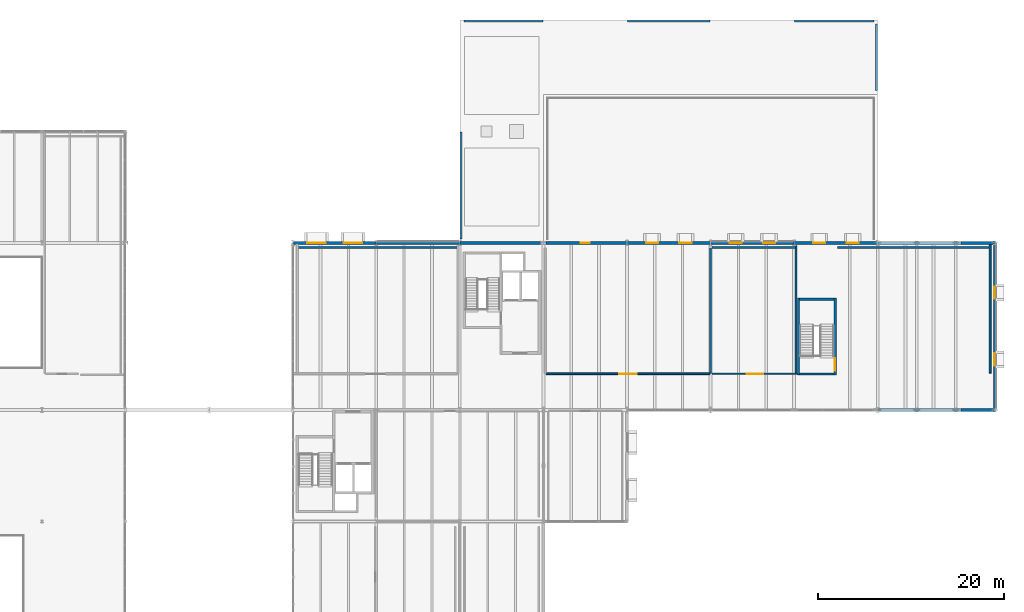
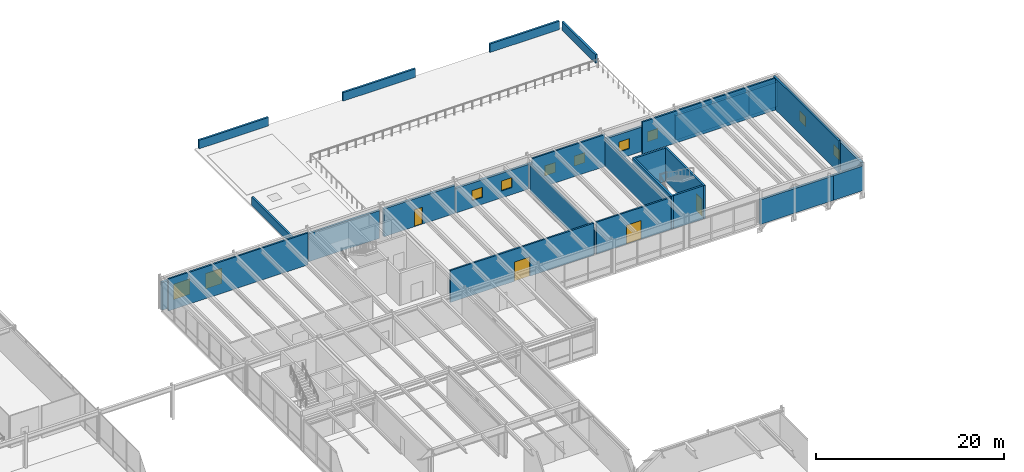
# One storey, part 109 of 115: 29 walls, 10 windows, 4 doors, 14 openings.
"""IFC4 building model written with IfcOpenShell, lengths in metres."""

import ifcopenshell
import ifcopenshell.guid

model = None  # the IFC model being written
_history = None  # IfcOwnerHistory: only IFC2X3 demands one
_inside = {}  # id of a spatial element -> (the spatial element, [elements in it])
_under = {}  # id of a project, library or spatial element -> (it, [spatial elements below it])
_declared = {}  # id of a project -> (the project, [libraries it declares])
_typed = {}  # id of a type object -> (the type object, [elements of that type])
_made_of = {}  # id of a material, layer set ... -> (it, [elements and type objects made of it])


def new_model(schema):
    """Start an empty IFC model of exactly this schema.

    Asked for "IFC4X3", IfcOpenShell would pick the latest addendum, in which some entities
    have other attributes; the version numbers below select the first issue.
    IFC2X3 requires an IfcOwnerHistory on every rooted entity: one is made here for all.
    """
    global model, _history
    if schema == "IFC4X3":
        model = ifcopenshell.file(schema_version=(4, 3, 0, 0))
    else:
        model = ifcopenshell.file(schema=schema)
    _inside.clear()
    _under.clear()
    _declared.clear()
    _typed.clear()
    _made_of.clear()
    _history = None
    if model.schema == "IFC2X3":
        org = make("IfcOrganization", Name="unknown")
        user = make(
            "IfcPersonAndOrganization",
            ThePerson=make("IfcPerson", FamilyName="unknown"),
            TheOrganization=org,
        )
        app = make(
            "IfcApplication",
            ApplicationDeveloper=org,
            Version="unknown",
            ApplicationFullName="unknown",
            ApplicationIdentifier="unknown",
        )
        _history = make(
            "IfcOwnerHistory",
            OwningUser=user,
            OwningApplication=app,
            ChangeAction="ADDED",
            CreationDate=0,
        )
    return model


def make(cls, **values):
    """One entity of the class cls with the attributes given. An attribute that is None is left unset."""
    return model.create_entity(
        cls, **{name: value for name, value in values.items() if value is not None}
    )


def rooted(cls, **values):
    """An entity with a GlobalId (a new one), such as an element, a storey or a relation."""
    return make(cls, GlobalId=ifcopenshell.guid.new(), OwnerHistory=_history, **values)


def si_unit(unit_type, name, prefix=None):
    """IfcSIUnit, for example si_unit("LENGTHUNIT", "METRE", prefix="MILLI")."""
    return make("IfcSIUnit", UnitType=unit_type, Prefix=prefix, Name=name)


def assignment(units):
    """IfcUnitAssignment: the units of a project."""
    return None if units is None else make("IfcUnitAssignment", Units=units)


def point(xyz):
    """IfcCartesianPoint."""
    return None if xyz is None else make("IfcCartesianPoint", Coordinates=xyz)


def direction(xyz):
    """IfcDirection."""
    return None if xyz is None else make("IfcDirection", DirectionRatios=xyz)


def frame(location, z_axis=None, x_axis=None):
    """IfcAxis2Placement3D, a coordinate frame: its origin and axes. An axis left out is left unset."""
    return make(
        "IfcAxis2Placement3D",
        Location=point(location),
        Axis=direction(z_axis),
        RefDirection=direction(x_axis),
    )


def frame_2d(location, x_axis=None):
    """IfcAxis2Placement2D, a coordinate frame in the plane: its origin and x axis."""
    return make(
        "IfcAxis2Placement2D", Location=point(location), RefDirection=direction(x_axis)
    )


def origin():
    """The frame at (0, 0, 0) with its axes left unset."""
    return frame((0.0, 0.0, 0.0))


def place(relative_to, where):
    """IfcLocalPlacement: puts the frame where relative to a parent placement (None: the world)."""
    return make(
        "IfcLocalPlacement", PlacementRelTo=relative_to, RelativePlacement=where
    )


def context(
    kind, dimensions, precision=None, world=None, true_north=None, identifier=None
):
    """IfcGeometricRepresentationContext, for example the 3D "Model" context."""
    return make(
        "IfcGeometricRepresentationContext",
        ContextIdentifier=identifier,
        ContextType=kind,
        CoordinateSpaceDimension=dimensions,
        Precision=precision,
        WorldCoordinateSystem=world,
        TrueNorth=true_north,
    )


def subcontext(parent, identifier, kind, view, scale=None):
    """IfcGeometricRepresentationSubContext, for example "Body" below "Model"."""
    return make(
        "IfcGeometricRepresentationSubContext",
        ContextIdentifier=identifier,
        ContextType=kind,
        ParentContext=parent,
        TargetScale=scale,
        TargetView=view,
    )


def project(units=None, contexts=None):
    """IfcProject with its units and contexts."""
    return rooted(
        "IfcProject",
        Name="project",
        RepresentationContexts=contexts,
        UnitsInContext=assignment(units),
    )


def spatial(cls, under=None, at=None, **own):
    """A site, building, storey or space (cls), placed at a placement, below another one or the project."""
    s = rooted(cls, ObjectPlacement=at, **own)
    if under is not None:
        _under.setdefault(under.id(), (under, []))[1].append(s)
    return s


def profile(cls, at=None, kind="AREA", **sizes):
    """A parametric profile (cls). Its sizes go by their IFC names, for example OverallWidth=200.0."""
    return make(cls, ProfileType=kind, Position=at, **sizes)


def rectangle(**sizes):
    """IfcRectangleProfileDef."""
    return profile("IfcRectangleProfileDef", **sizes)


def extrude(swept, where, along, depth):
    """IfcExtrudedAreaSolid: the profile swept, set in the frame where, extruded along a direction by depth."""
    return make(
        "IfcExtrudedAreaSolid",
        SweptArea=swept,
        Position=where,
        ExtrudedDirection=direction(along),
        Depth=depth,
    )


def shape(context_of_items, identifier, shape_type, items):
    """IfcShapeRepresentation: the items that make up one representation, for example the "Body"."""
    return make(
        "IfcShapeRepresentation",
        ContextOfItems=context_of_items,
        RepresentationIdentifier=identifier,
        RepresentationType=shape_type,
        Items=items,
    )


def material(Name=None, Category=None):
    """IfcMaterial."""
    return make("IfcMaterial", Name=Name, Category=Category)


def layer(
    of_material, thickness, ventilated=None, Name=None, Category=None, Priority=None
):
    """IfcMaterialLayer: one layer of a wall or slab, of a material (None: an air gap)."""
    return make(
        "IfcMaterialLayer",
        Material=of_material,
        LayerThickness=thickness,
        IsVentilated=ventilated,
        Name=Name,
        Category=Category,
        Priority=Priority,
    )


def layer_set(layers, Name=None):
    """IfcMaterialLayerSet."""
    return make("IfcMaterialLayerSet", MaterialLayers=layers, LayerSetName=Name)


def made_of(thing, what):
    """Note that an element or type object is made of a material, layer set ...; save() writes the relation."""
    if what is not None:
        _made_of.setdefault(what.id(), (what, []))[1].append(thing)
    return thing


def type_object(cls, material=None, **own):
    """A type object (cls), such as IfcWallType, which elements share."""
    return made_of(rooted(cls, **own), material)


def element(
    cls,
    number,
    at=None,
    inside=None,
    cuts=None,
    type_object=None,
    material=None,
    context=None,
    identifier="Body",
    shape_type=None,
    held_by="IfcProductDefinitionShape",
    body=None,
    shapes=None,
    **own,
):
    """One element of the class cls, such as IfcWall. Its Tag is "e" and its number.

    at: its placement. inside: the storey or other place that contains it. cuts: it is an
    opening in that element (IfcRelVoidsElement). A single representation is given by context,
    identifier, shape_type and body (its items); several are given by shapes. held_by: the class
    of the entity that holds the representations. save() writes the other relations.
    """
    e = rooted(cls, Tag="e%d" % number, ObjectPlacement=at, **own)
    if body is not None:
        shapes = [shape(context, identifier, shape_type, body)]
    if shapes is not None:
        e.Representation = make(held_by, Representations=shapes)
    if inside is not None:
        _inside.setdefault(inside.id(), (inside, []))[1].append(e)
    if cuts is not None:
        rooted(
            "IfcRelVoidsElement", RelatingBuildingElement=cuts, RelatedOpeningElement=e
        )
    if type_object is not None:
        _typed.setdefault(type_object.id(), (type_object, []))[1].append(e)
    return made_of(e, material)


def fill(opening, filler):
    """IfcRelFillsElement: the door or window that sits in an opening."""
    return rooted(
        "IfcRelFillsElement",
        RelatingOpeningElement=opening,
        RelatedBuildingElement=filler,
    )


def aggregate(whole, parts):
    """IfcRelAggregates: a whole, such as a stair, and the parts it consists of."""
    return rooted("IfcRelAggregates", RelatingObject=whole, RelatedObjects=parts)


def save(model, path):
    """Write the relations noted so far, then the file.

    IfcRelAggregates (storeys below a building ...), IfcRelContainedInSpatialStructure (elements
    in a storey), IfcRelDefinesByType, IfcRelAssociatesMaterial and IfcRelDeclares: one each for
    every whole, place, type object, material and project.
    """
    for whole, parts in _under.values():
        aggregate(whole, parts)
    for where, things in _inside.values():
        rooted(
            "IfcRelContainedInSpatialStructure",
            RelatedElements=things,
            RelatingStructure=where,
        )
    for kind, things in _typed.values():
        rooted("IfcRelDefinesByType", RelatedObjects=things, RelatingType=kind)
    for what, things in _made_of.values():
        rooted("IfcRelAssociatesMaterial", RelatedObjects=things, RelatingMaterial=what)
    for by, libraries in _declared.values():
        rooted("IfcRelDeclares", RelatingContext=by, RelatedDefinitions=libraries)
    model.write(path)


model = new_model("IFC4")

# Units and contexts
model_context = context("Model", 3, precision=1e-05, world=origin(), true_north=direction((0.0, 1.0)))
body_context = subcontext(model_context, "Body", "Model", "MODEL_VIEW")
ifc_project = project(units=[si_unit("LENGTHUNIT", "METRE"), si_unit("AREAUNIT", "SQUARE_METRE"), si_unit("VOLUMEUNIT", "CUBIC_METRE"), si_unit("PLANEANGLEUNIT", "RADIAN"), si_unit("MASSUNIT", "GRAM", prefix="KILO")], contexts=[model_context])

# Site, building, storey
site_placement = place(None, origin())
site = spatial("IfcSite", under=ifc_project, at=site_placement, CompositionType="ELEMENT")
building_placement = place(site_placement, origin())
building = spatial("IfcBuilding", under=site, at=building_placement, Name="Montelvaro Courts of Justice", CompositionType="ELEMENT")
storey_placement = place(building_placement, frame((0.0, 0.0, 9.89990234375)))
storey = spatial("IfcBuildingStorey", under=building, at=storey_placement, Name="L02", CompositionType="ELEMENT", Elevation=9.89990234375)

# Walls
ifc_material_1 = material(Name="Gypsum acoustic double stud with mineral wool")
ifc_layer_1 = layer(ifc_material_1, 0.199951171875)
ifc_layer_set_1 = layer_set([ifc_layer_1], Name="Gypsum acoustic double stud with mineral wool")
wall_type_1 = type_object("IfcWallType", Name="CourtAcousticWall_200", PredefinedType="PARTITIONING", material=ifc_layer_set_1)
wall_1_placement = place(storey_placement, frame((99.580078125, 95.5, 0.0), z_axis=(0.0, 0.0, 1.0), x_axis=(1.0, 0.0, 0.0)))
element("IfcWall", 1, at=wall_1_placement, inside=storey, type_object=wall_type_1, Name="Interior Partition IW-01 (L02)", PredefinedType="PARTITIONING", context=body_context, shape_type="SweptSolid", body=[
    extrude(rectangle(XDim=17.139892578125, YDim=0.199951171875, at=frame_2d((8.56982421875, 0.0))), origin(), (0.0, 0.0, 1.0), 4.14013671875),
])
wall_2_placement = place(storey_placement, frame((144.0, 95.419921875, 0.0), z_axis=(0.0, 0.0, 1.0), x_axis=(0.0, -1.0, 0.0)))
element("IfcWall", 2, at=wall_2_placement, inside=storey, type_object=wall_type_1, Name="Interior Partition IW-01 (L02)", PredefinedType="PARTITIONING", context=body_context, shape_type="SweptSolid", body=[
    extrude(rectangle(XDim=13.43994140625, YDim=0.199951171875, at=frame_2d((6.719970703125, 0.0))), origin(), (0.0, 0.0, 1.0), 3.39501953125),
])

# Wall, opening, door
wall_3_placement = place(storey_placement, frame((143.919921875, 81.89990234375, 0.0), z_axis=(0.0, 0.0, 1.0), x_axis=(-1.0, 0.0, 0.0)))
wall_3 = element("IfcWall", 3, at=wall_3_placement, inside=storey, type_object=wall_type_1, Name="Interior Partition IW-01 (L02)", PredefinedType="PARTITIONING", context=body_context, shape_type="SweptSolid", body=[
    extrude(rectangle(XDim=17.639892578125, YDim=0.199951171875, at=frame_2d((8.81982421875, 0.0))), origin(), (0.0, 0.0, 1.0), 4.14013671875),
])
opening_1_placement = place(wall_3_placement, frame((7.8701171875, 0.0, 0.0)))
opening_1 = element("IfcOpeningElement", 4, at=opening_1_placement, cuts=wall_3, Name="Opening D-L02-087", PredefinedType="OPENING", context=body_context, shape_type="SweptSolid", body=[
    extrude(rectangle(XDim=1.89990234375, YDim=2.5, at=frame_2d((0.949951171875, 1.25))), frame((0.0, 0.11474609375, 0.0), z_axis=(0.0, -1.0, 0.0), x_axis=(1.0, 0.0, 0.0)), (0.0, 0.0, 1.0), 0.229736328125),
])
ifc_material_2 = material(Name="Acoustic oak timber veneer", Category="wood")
door_type_1 = type_object("IfcDoorType", Name="CourtDoor_190x250", OperationType="DOUBLE_DOOR_SINGLE_SWING", PredefinedType="DOOR", material=ifc_material_2)
door_1_placement = place(opening_1_placement, frame((1.89990234375, 0.0, 0.0), z_axis=(0.0, 0.0, 1.0), x_axis=(-1.0, 0.0, 0.0)))
door_1 = element("IfcDoor", 5, at=door_1_placement, inside=storey, type_object=door_type_1, Name="Interior Door D-L02-087 (Civil First Instance Courtroom 08)", OperationType="DOUBLE_DOOR_SINGLE_SWING", OverallHeight=2.5, OverallWidth=1.89990234375, PredefinedType="DOOR", context=body_context, shape_type="SweptSolid", body=[
    extrude(rectangle(XDim=1.89990234375, YDim=2.5, at=frame_2d((0.949951171875, 1.25))), frame((0.0, 0.02490234375, 0.0), z_axis=(0.0, -1.0, 0.0), x_axis=(1.0, 0.0, 0.0)), (0.0, 0.0, 1.0), 0.050048828125),
])
fill(opening_1, door_1)

# Wall
wall_4_placement = place(storey_placement, frame((153.199951171875, 95.701904296875, 0.0), z_axis=(0.0, 0.0, 1.0), x_axis=(0.0, -1.0, 0.0)))
element("IfcWall", 6, at=wall_4_placement, inside=storey, type_object=wall_type_1, Name="Interior Partition IW-01 (L02)", PredefinedType="PARTITIONING", context=body_context, shape_type="SweptSolid", body=[
    extrude(rectangle(XDim=13.721923828125, YDim=0.199951171875, at=frame_2d((6.86083984375, 0.0))), origin(), (0.0, 0.0, 1.0), 3.545166015625),
])

# Wall, opening, door
wall_5_placement = place(storey_placement, frame((153.364990234375, 81.89990234375, 0.0), z_axis=(0.0, 0.0, 1.0), x_axis=(-1.0, 0.0, 0.0)))
wall_5 = element("IfcWall", 7, at=wall_5_placement, inside=storey, type_object=wall_type_1, Name="Interior Partition IW-01 (L02)", PredefinedType="PARTITIONING", context=body_context, shape_type="SweptSolid", body=[
    extrude(rectangle(XDim=9.18505859375, YDim=0.199951171875, at=frame_2d((4.592529296875, 0.0))), origin(), (0.0, 0.0, 1.0), 4.14013671875),
])
opening_2_placement = place(wall_5_placement, frame((3.693115234375, 0.0, 0.0)))
opening_2 = element("IfcOpeningElement", 8, at=opening_2_placement, cuts=wall_5, Name="Opening D-L02-088", PredefinedType="OPENING", context=body_context, shape_type="SweptSolid", body=[
    extrude(rectangle(XDim=1.800048828125, YDim=2.449951171875, at=frame_2d((0.89990234375, 1.22509765625))), frame((0.0, 0.11474609375, 0.0), z_axis=(0.0, -1.0, 0.0), x_axis=(1.0, 0.0, 0.0)), (0.0, 0.0, 1.0), 0.229736328125),
])
door_type_2 = type_object("IfcDoorType", Name="CourtDoor_180x245", OperationType="DOUBLE_DOOR_SINGLE_SWING", PredefinedType="DOOR", material=ifc_material_2)
door_2_placement = place(opening_2_placement, origin())
door_2 = element("IfcDoor", 9, at=door_2_placement, inside=storey, type_object=door_type_2, Name="Interior Door D-L02-088 (Commercial Courtroom 09)", OperationType="DOUBLE_DOOR_SINGLE_SWING", OverallHeight=2.449951171875, OverallWidth=1.800048828125, PredefinedType="DOOR", context=body_context, shape_type="SweptSolid", body=[
    extrude(rectangle(XDim=1.800048828125, YDim=2.449951171875, at=frame_2d((0.89990234375, 1.22509765625))), frame((0.0, 0.02490234375, 0.0), z_axis=(0.0, -1.0, 0.0), x_axis=(1.0, 0.0, 0.0)), (0.0, 0.0, 1.0), 0.050048828125),
])
fill(opening_2, door_2)

# Walls
wall_6_placement = place(storey_placement, frame((144.179931640625, 95.5, 0.0), z_axis=(0.0, 0.0, 1.0), x_axis=(1.0, 0.0, 0.0)))
element("IfcWall", 10, at=wall_6_placement, inside=storey, type_object=wall_type_1, Name="Interior Partition IW-01 (L02)", PredefinedType="PARTITIONING", context=body_context, shape_type="SweptSolid", body=[
    extrude(rectangle(XDim=8.940185546875, YDim=0.199951171875, at=frame_2d((4.47021484375, 0.0))), origin(), (0.0, 0.0, 1.0), 4.14013671875),
])
wall_7_placement = place(storey_placement, frame((174.10009765625, 95.85498046875, 0.0), z_axis=(0.0, 0.0, 1.0), x_axis=(0.0, -1.0, 0.0)))
element("IfcWall", 11, at=wall_7_placement, inside=storey, type_object=wall_type_1, Name="Interior Partition IW-01 (L02)", PredefinedType="PARTITIONING", context=body_context, shape_type="SweptSolid", body=[
    extrude(rectangle(XDim=13.875, YDim=0.199951171875, at=frame_2d((6.9375, 0.0))), origin(), (0.0, 0.0, 1.0), 4.14013671875),
])
wall_8_placement = place(storey_placement, frame((157.679931640625, 95.5, 0.0), z_axis=(0.0, 0.0, 1.0), x_axis=(1.0, 0.0, 0.0)))
element("IfcWall", 12, at=wall_8_placement, inside=storey, type_object=wall_type_1, Name="Interior Partition IW-01 (L02)", PredefinedType="PARTITIONING", context=body_context, shape_type="SweptSolid", body=[
    extrude(rectangle(XDim=16.340087890625, YDim=0.199951171875, at=frame_2d((8.169921875, 0.0))), origin(), (0.0, 0.0, 1.0), 4.14013671875),
])
ifc_material_3 = material(Name="White mineral precast concrete C45/55", Category="concrete")
ifc_layer_2 = layer(ifc_material_3, 0.300048828125)
ifc_layer_set_2 = layer_set([ifc_layer_2], Name="White mineral precast concrete C45/55")
wall_type_2 = type_object("IfcWallType", Name="ExtWall_GFRC_300", PredefinedType="SOLIDWALL", material=ifc_layer_set_2)
wall_9_placement = place(storey_placement, frame((162.008056640625, 78.0, 0.0), z_axis=(0.0, 0.0, 1.0), x_axis=(1.0, 0.0, 0.0)))
element("IfcWall", 13, at=wall_9_placement, inside=storey, type_object=wall_type_2, Name="Exterior Facade Wall EW-02 (L02)", PredefinedType="SOLIDWALL", context=body_context, shape_type="SweptSolid", body=[
    extrude(rectangle(XDim=9.001953125, YDim=0.300048828125, at=frame_2d((4.5009765625, 0.0))), origin(), (0.0, 0.0, 1.0), 3.18701171875),
])
wall_10_placement = place(storey_placement, frame((170.989990234375, 78.0, 0.0), z_axis=(0.0, 0.0, 1.0), x_axis=(1.0, 0.0, 0.0)))
element("IfcWall", 14, at=wall_10_placement, inside=storey, type_object=wall_type_2, Name="Exterior Facade Wall EW-02 (L02)", PredefinedType="SOLIDWALL", context=body_context, shape_type="SweptSolid", body=[
    extrude(rectangle(XDim=3.64990234375, YDim=0.300048828125, at=frame_2d((1.824951171875, 0.0))), origin(), (0.0, 0.0, 1.0), 3.18701171875),
])

# Wall, openings, windows
wall_11_placement = place(storey_placement, frame((174.60009765625, 78.0400390625, 0.0), z_axis=(0.0, 0.0, 1.0), x_axis=(0.0, 1.0, 0.0)))
wall_11 = element("IfcWall", 15, at=wall_11_placement, inside=storey, type_object=wall_type_2, Name="Exterior Facade Wall EW-02 (L02)", PredefinedType="SOLIDWALL", context=body_context, shape_type="SweptSolid", body=[
    extrude(rectangle(XDim=18.0, YDim=0.300048828125, at=frame_2d((9.0, 0.0))), origin(), (0.0, 0.0, 1.0), 3.545166015625),
])
opening_3_placement = place(wall_11_placement, frame((4.75, 0.0, 0.89990234375)))
opening_3 = element("IfcOpeningElement", 16, at=opening_3_placement, cuts=wall_11, Name="Opening WE-18", PredefinedType="OPENING", context=body_context, shape_type="SweptSolid", body=[
    extrude(rectangle(XDim=1.300048828125, YDim=1.300048828125, at=frame_2d((0.64990234375, 0.64990234375))), frame((0.0, 0.1650390625, 0.0), z_axis=(0.0, -1.0, 0.0), x_axis=(1.0, 0.0, 0.0)), (0.0, 0.0, 1.0), 0.329833984375),
])
opening_4_placement = place(wall_11_placement, frame((11.949951171875, 0.0, 0.89990234375)))
opening_4 = element("IfcOpeningElement", 17, at=opening_4_placement, cuts=wall_11, Name="Opening WE-18", PredefinedType="OPENING", context=body_context, shape_type="SweptSolid", body=[
    extrude(rectangle(XDim=1.300048828125, YDim=1.300048828125, at=frame_2d((0.64990234375, 0.64990234375))), frame((0.0, 0.1650390625, 0.0), z_axis=(0.0, -1.0, 0.0), x_axis=(1.0, 0.0, 0.0)), (0.0, 0.0, 1.0), 0.329833984375),
])
ifc_material_4 = material(Name="Low-E solar control double glazing", Category="glass")
window_type_1 = type_object("IfcWindowType", Name="Win_Sq_130x130", PartitioningType="SINGLE_PANEL", PredefinedType="WINDOW", material=ifc_material_4)
window_1_placement = place(opening_3_placement, origin())
window_1 = element("IfcWindow", 18, at=window_1_placement, inside=storey, type_object=window_type_1, Name="Window W-L02-097", OverallHeight=1.300048828125, OverallWidth=1.300048828125, PartitioningType="SINGLE_PANEL", PredefinedType="WINDOW", context=body_context, shape_type="SweptSolid", body=[
    extrude(rectangle(XDim=1.300048828125, YDim=1.300048828125, at=frame_2d((0.64990234375, 0.64990234375))), frame((0.0, 0.030029296875, 0.0), z_axis=(0.0, -1.0, 0.0), x_axis=(1.0, 0.0, 0.0)), (0.0, 0.0, 1.0), 0.06005859375),
])
fill(opening_3, window_1)
window_2_placement = place(opening_4_placement, origin())
window_2 = element("IfcWindow", 19, at=window_2_placement, inside=storey, type_object=window_type_1, Name="Window W-L02-098", OverallHeight=1.300048828125, OverallWidth=1.300048828125, PartitioningType="SINGLE_PANEL", PredefinedType="WINDOW", context=body_context, shape_type="SweptSolid", body=[
    extrude(rectangle(XDim=1.300048828125, YDim=1.300048828125, at=frame_2d((0.64990234375, 0.64990234375))), frame((0.0, 0.030029296875, 0.0), z_axis=(0.0, -1.0, 0.0), x_axis=(1.0, 0.0, 0.0)), (0.0, 0.0, 1.0), 0.06005859375),
])
fill(opening_4, window_2)

# Walls
wall_12_placement = place(storey_placement, frame((174.56005859375, 96.0, 0.0), z_axis=(0.0, 0.0, 1.0), x_axis=(-1.0, 0.0, 0.0)))
element("IfcWall", 20, at=wall_12_placement, inside=storey, type_object=wall_type_2, Name="Exterior Facade Wall EW-02 (L02)", PredefinedType="SOLIDWALL", context=body_context, shape_type="SweptSolid", body=[
    extrude(rectangle(XDim=3.570068359375, YDim=0.300048828125, at=frame_2d((1.78515625, 0.0))), origin(), (0.0, 0.0, 1.0), 3.18701171875),
])
wall_13_placement = place(storey_placement, frame((171.010009765625, 96.0, 0.0), z_axis=(0.0, 0.0, 1.0), x_axis=(-1.0, 0.0, 0.0)))
element("IfcWall", 21, at=wall_13_placement, inside=storey, type_object=wall_type_2, Name="Exterior Facade Wall EW-02 (L02)", PredefinedType="SOLIDWALL", context=body_context, shape_type="SweptSolid", body=[
    extrude(rectangle(XDim=9.001953125, YDim=0.300048828125, at=frame_2d((4.5009765625, 0.0))), origin(), (0.0, 0.0, 1.0), 3.18701171875),
])

# Wall, openings, windows
wall_14_placement = place(storey_placement, frame((161.991943359375, 96.0, 0.0), z_axis=(0.0, 0.0, 1.0), x_axis=(-1.0, 0.0, 0.0)))
wall_14 = element("IfcWall", 22, at=wall_14_placement, inside=storey, type_object=wall_type_2, Name="Exterior Facade Wall EW-02 (L02)", PredefinedType="SOLIDWALL", context=body_context, shape_type="SweptSolid", body=[
    extrude(rectangle(XDim=8.98388671875, YDim=0.300048828125, at=frame_2d((4.491943359375, 0.0))), origin(), (0.0, 0.0, 1.0), 3.18701171875),
])
opening_5_placement = place(wall_14_placement, frame((2.044921875, 0.0, 0.89990234375)))
opening_5 = element("IfcOpeningElement", 23, at=opening_5_placement, cuts=wall_14, Name="Opening WE-18", PredefinedType="OPENING", context=body_context, shape_type="SweptSolid", body=[
    extrude(rectangle(XDim=1.300048828125, YDim=1.300048828125, at=frame_2d((0.64990234375, 0.64990234375))), frame((0.0, 0.1650390625, 0.0), z_axis=(0.0, -1.0, 0.0), x_axis=(1.0, 0.0, 0.0)), (0.0, 0.0, 1.0), 0.329833984375),
])
opening_6_placement = place(wall_14_placement, frame((5.638916015625, 0.0, 0.89990234375)))
opening_6 = element("IfcOpeningElement", 24, at=opening_6_placement, cuts=wall_14, Name="Opening WE-18", PredefinedType="OPENING", context=body_context, shape_type="SweptSolid", body=[
    extrude(rectangle(XDim=1.300048828125, YDim=1.300048828125, at=frame_2d((0.64990234375, 0.64990234375))), frame((0.0, 0.1650390625, 0.0), z_axis=(0.0, -1.0, 0.0), x_axis=(1.0, 0.0, 0.0)), (0.0, 0.0, 1.0), 0.329833984375),
])
window_3_placement = place(opening_5_placement, origin())
window_3 = element("IfcWindow", 25, at=window_3_placement, inside=storey, type_object=window_type_1, Name="Window W-L02-099", OverallHeight=1.300048828125, OverallWidth=1.300048828125, PartitioningType="SINGLE_PANEL", PredefinedType="WINDOW", context=body_context, shape_type="SweptSolid", body=[
    extrude(rectangle(XDim=1.300048828125, YDim=1.300048828125, at=frame_2d((0.64990234375, 0.64990234375))), frame((0.0, 0.030029296875, 0.0), z_axis=(0.0, -1.0, 0.0), x_axis=(1.0, 0.0, 0.0)), (0.0, 0.0, 1.0), 0.06005859375),
])
fill(opening_5, window_3)
window_4_placement = place(opening_6_placement, origin())
window_4 = element("IfcWindow", 26, at=window_4_placement, inside=storey, type_object=window_type_1, Name="Window W-L02-100", OverallHeight=1.300048828125, OverallWidth=1.300048828125, PartitioningType="SINGLE_PANEL", PredefinedType="WINDOW", context=body_context, shape_type="SweptSolid", body=[
    extrude(rectangle(XDim=1.300048828125, YDim=1.300048828125, at=frame_2d((0.64990234375, 0.64990234375))), frame((0.0, 0.030029296875, 0.0), z_axis=(0.0, -1.0, 0.0), x_axis=(1.0, 0.0, 0.0)), (0.0, 0.0, 1.0), 0.06005859375),
])
fill(opening_6, window_4)

wall_15_placement = place(storey_placement, frame((152.991943359375, 96.0, 0.0), z_axis=(0.0, 0.0, 1.0), x_axis=(-1.0, 0.0, 0.0)))
wall_15 = element("IfcWall", 27, at=wall_15_placement, inside=storey, type_object=wall_type_2, Name="Exterior Facade Wall EW-02 (L02)", PredefinedType="SOLIDWALL", context=body_context, shape_type="SweptSolid", body=[
    extrude(rectangle(XDim=8.98388671875, YDim=0.300048828125, at=frame_2d((4.491943359375, 0.0))), origin(), (0.0, 0.0, 1.0), 3.18701171875),
])
opening_7_placement = place(wall_15_placement, frame((2.044921875, 0.0, 0.89990234375)))
opening_7 = element("IfcOpeningElement", 28, at=opening_7_placement, cuts=wall_15, Name="Opening WE-18", PredefinedType="OPENING", context=body_context, shape_type="SweptSolid", body=[
    extrude(rectangle(XDim=1.300048828125, YDim=1.300048828125, at=frame_2d((0.64990234375, 0.64990234375))), frame((0.0, 0.1650390625, 0.0), z_axis=(0.0, -1.0, 0.0), x_axis=(1.0, 0.0, 0.0)), (0.0, 0.0, 1.0), 0.329833984375),
])
opening_8_placement = place(wall_15_placement, frame((5.638916015625, 0.0, 0.89990234375)))
opening_8 = element("IfcOpeningElement", 29, at=opening_8_placement, cuts=wall_15, Name="Opening WE-18", PredefinedType="OPENING", context=body_context, shape_type="SweptSolid", body=[
    extrude(rectangle(XDim=1.300048828125, YDim=1.300048828125, at=frame_2d((0.64990234375, 0.64990234375))), frame((0.0, 0.1650390625, 0.0), z_axis=(0.0, -1.0, 0.0), x_axis=(1.0, 0.0, 0.0)), (0.0, 0.0, 1.0), 0.329833984375),
])
window_5_placement = place(opening_7_placement, origin())
window_5 = element("IfcWindow", 30, at=window_5_placement, inside=storey, type_object=window_type_1, Name="Window W-L02-101", OverallHeight=1.300048828125, OverallWidth=1.300048828125, PartitioningType="SINGLE_PANEL", PredefinedType="WINDOW", context=body_context, shape_type="SweptSolid", body=[
    extrude(rectangle(XDim=1.300048828125, YDim=1.300048828125, at=frame_2d((0.64990234375, 0.64990234375))), frame((0.0, 0.030029296875, 0.0), z_axis=(0.0, -1.0, 0.0), x_axis=(1.0, 0.0, 0.0)), (0.0, 0.0, 1.0), 0.06005859375),
])
fill(opening_7, window_5)
window_6_placement = place(opening_8_placement, origin())
window_6 = element("IfcWindow", 31, at=window_6_placement, inside=storey, type_object=window_type_1, Name="Window W-L02-102", OverallHeight=1.300048828125, OverallWidth=1.300048828125, PartitioningType="SINGLE_PANEL", PredefinedType="WINDOW", context=body_context, shape_type="SweptSolid", body=[
    extrude(rectangle(XDim=1.300048828125, YDim=1.300048828125, at=frame_2d((0.64990234375, 0.64990234375))), frame((0.0, 0.030029296875, 0.0), z_axis=(0.0, -1.0, 0.0), x_axis=(1.0, 0.0, 0.0)), (0.0, 0.0, 1.0), 0.06005859375),
])
fill(opening_8, window_6)

wall_16_placement = place(storey_placement, frame((143.991943359375, 96.0, 0.0), z_axis=(0.0, 0.0, 1.0), x_axis=(-1.0, 0.0, 0.0)))
wall_16 = element("IfcWall", 32, at=wall_16_placement, inside=storey, type_object=wall_type_2, Name="Exterior Facade Wall EW-02 (L02)", PredefinedType="SOLIDWALL", context=body_context, shape_type="SweptSolid", body=[
    extrude(rectangle(XDim=8.98388671875, YDim=0.300048828125, at=frame_2d((4.491943359375, 0.0))), origin(), (0.0, 0.0, 1.0), 3.18701171875),
])
opening_9_placement = place(wall_16_placement, frame((2.044921875, 0.0, 0.89990234375)))
opening_9 = element("IfcOpeningElement", 33, at=opening_9_placement, cuts=wall_16, Name="Opening WE-18", PredefinedType="OPENING", context=body_context, shape_type="SweptSolid", body=[
    extrude(rectangle(XDim=1.300048828125, YDim=1.300048828125, at=frame_2d((0.64990234375, 0.64990234375))), frame((0.0, 0.1650390625, 0.0), z_axis=(0.0, -1.0, 0.0), x_axis=(1.0, 0.0, 0.0)), (0.0, 0.0, 1.0), 0.329833984375),
])
opening_10_placement = place(wall_16_placement, frame((5.638916015625, 0.0, 0.89990234375)))
opening_10 = element("IfcOpeningElement", 34, at=opening_10_placement, cuts=wall_16, Name="Opening WE-18", PredefinedType="OPENING", context=body_context, shape_type="SweptSolid", body=[
    extrude(rectangle(XDim=1.300048828125, YDim=1.300048828125, at=frame_2d((0.64990234375, 0.64990234375))), frame((0.0, 0.1650390625, 0.0), z_axis=(0.0, -1.0, 0.0), x_axis=(1.0, 0.0, 0.0)), (0.0, 0.0, 1.0), 0.329833984375),
])
window_7_placement = place(opening_9_placement, origin())
window_7 = element("IfcWindow", 35, at=window_7_placement, inside=storey, type_object=window_type_1, Name="Window W-L02-103", OverallHeight=1.300048828125, OverallWidth=1.300048828125, PartitioningType="SINGLE_PANEL", PredefinedType="WINDOW", context=body_context, shape_type="SweptSolid", body=[
    extrude(rectangle(XDim=1.300048828125, YDim=1.300048828125, at=frame_2d((0.64990234375, 0.64990234375))), frame((0.0, 0.030029296875, 0.0), z_axis=(0.0, -1.0, 0.0), x_axis=(1.0, 0.0, 0.0)), (0.0, 0.0, 1.0), 0.06005859375),
])
fill(opening_9, window_7)
window_8_placement = place(opening_10_placement, origin())
window_8 = element("IfcWindow", 36, at=window_8_placement, inside=storey, type_object=window_type_1, Name="Window W-L02-104", OverallHeight=1.300048828125, OverallWidth=1.300048828125, PartitioningType="SINGLE_PANEL", PredefinedType="WINDOW", context=body_context, shape_type="SweptSolid", body=[
    extrude(rectangle(XDim=1.300048828125, YDim=1.300048828125, at=frame_2d((0.64990234375, 0.64990234375))), frame((0.0, 0.030029296875, 0.0), z_axis=(0.0, -1.0, 0.0), x_axis=(1.0, 0.0, 0.0)), (0.0, 0.0, 1.0), 0.06005859375),
])
fill(opening_10, window_8)

# Wall, opening, door
wall_17_placement = place(storey_placement, frame((134.991943359375, 96.0, 0.0), z_axis=(0.0, 0.0, 1.0), x_axis=(-1.0, 0.0, 0.0)))
wall_17 = element("IfcWall", 37, at=wall_17_placement, inside=storey, type_object=wall_type_2, Name="Exterior Facade Wall EW-02 (L02)", PredefinedType="SOLIDWALL", context=body_context, shape_type="SweptSolid", body=[
    extrude(rectangle(XDim=8.718994140625, YDim=0.300048828125, at=frame_2d((4.359375, 0.0))), origin(), (0.0, 0.0, 1.0), 3.60498046875),
])
opening_11_placement = place(wall_17_placement, frame((3.991943359375, 0.0, 0.0)))
opening_11 = element("IfcOpeningElement", 38, at=opening_11_placement, cuts=wall_17, Name="Opening DT-L02-01", PredefinedType="OPENING", context=body_context, shape_type="SweptSolid", body=[
    extrude(rectangle(XDim=1.0, YDim=2.199951171875, at=frame_2d((0.5, 1.10009765625))), frame((0.0, 0.1650390625, 0.0), z_axis=(0.0, -1.0, 0.0), x_axis=(1.0, 0.0, 0.0)), (0.0, 0.0, 1.0), 0.329833984375),
])
ifc_material_5 = material(Name="Anodised aluminium and laminated safety glass", Category="aluminium")
door_type_3 = type_object("IfcDoorType", Name="ExtDoor_Ter_100x220", OperationType="NOTDEFINED", PredefinedType="DOOR", material=ifc_material_5)
door_3_placement = place(opening_11_placement, frame((1.0, 0.0, 0.0), z_axis=(0.0, 0.0, 1.0), x_axis=(-1.0, 0.0, 0.0)))
door_3 = element("IfcDoor", 39, at=door_3_placement, inside=storey, type_object=door_type_3, Name="Terrace Access Door DT-L02-01", OperationType="SINGLE_SWING_RIGHT", OverallHeight=2.199951171875, OverallWidth=1.0, PredefinedType="DOOR", context=body_context, shape_type="SweptSolid", body=[
    extrude(rectangle(XDim=1.0, YDim=2.199951171875, at=frame_2d((0.5, 1.10009765625))), frame((0.0, 0.02490234375, 0.0), z_axis=(0.0, -1.0, 0.0), x_axis=(1.0, 0.0, 0.0)), (0.0, 0.0, 1.0), 0.050048828125),
])
fill(opening_11, door_3)

# Walls
wall_18_placement = place(storey_placement, frame((125.72705078125, 96.0, 0.0), z_axis=(0.0, 0.0, 1.0), x_axis=(-1.0, 0.0, 0.0)))
element("IfcWall", 40, at=wall_18_placement, inside=storey, type_object=wall_type_2, Name="Exterior Facade Wall EW-02 (L02)", PredefinedType="SOLIDWALL", context=body_context, shape_type="SweptSolid", body=[
    extrude(rectangle(XDim=8.718994140625, YDim=0.300048828125, at=frame_2d((4.359375, 0.0))), origin(), (0.0, 0.0, 1.0), 3.60498046875),
])
wall_19_placement = place(storey_placement, frame((116.991943359375, 96.0, 0.0), z_axis=(0.0, 0.0, 1.0), x_axis=(-1.0, 0.0, 0.0)))
element("IfcWall", 41, at=wall_19_placement, inside=storey, type_object=wall_type_2, Name="Exterior Facade Wall EW-02 (L02)", PredefinedType="SOLIDWALL", context=body_context, shape_type="SweptSolid", body=[
    extrude(rectangle(XDim=8.98388671875, YDim=0.300048828125, at=frame_2d((4.491943359375, 0.0))), origin(), (0.0, 0.0, 1.0), 3.60498046875),
])

# Wall, openings, windows
wall_20_placement = place(storey_placement, frame((107.991943359375, 96.0, 0.0), z_axis=(0.0, 0.0, 1.0), x_axis=(-1.0, 0.0, 0.0)))
wall_20 = element("IfcWall", 42, at=wall_20_placement, inside=storey, type_object=wall_type_2, Name="Exterior Facade Wall EW-02 (L02)", PredefinedType="SOLIDWALL", context=body_context, shape_type="SweptSolid", body=[
    extrude(rectangle(XDim=8.933837890625, YDim=0.300048828125, at=frame_2d((4.466796875, 0.0))), origin(), (0.0, 0.0, 1.0), 3.60498046875),
])
opening_12_placement = place(wall_20_placement, frame((1.501953125, 0.0, 0.800048828125)))
opening_12 = element("IfcOpeningElement", 43, at=opening_12_placement, cuts=wall_20, Name="Opening WE-11", PredefinedType="OPENING", context=body_context, shape_type="SweptSolid", body=[
    extrude(rectangle(XDim=2.0, YDim=2.0, at=frame_2d((1.0, 1.0))), frame((0.0, 0.1650390625, 0.0), z_axis=(0.0, -1.0, 0.0), x_axis=(1.0, 0.0, 0.0)), (0.0, 0.0, 1.0), 0.329833984375),
])
opening_13_placement = place(wall_20_placement, frame((5.431884765625, 0.0, 0.800048828125)))
opening_13 = element("IfcOpeningElement", 44, at=opening_13_placement, cuts=wall_20, Name="Opening WE-11", PredefinedType="OPENING", context=body_context, shape_type="SweptSolid", body=[
    extrude(rectangle(XDim=2.0, YDim=2.0, at=frame_2d((1.0, 1.0))), frame((0.0, 0.1650390625, 0.0), z_axis=(0.0, -1.0, 0.0), x_axis=(1.0, 0.0, 0.0)), (0.0, 0.0, 1.0), 0.329833984375),
])
window_type_2 = type_object("IfcWindowType", Name="Win_Sq_200x200", PartitioningType="SINGLE_PANEL", PredefinedType="WINDOW", material=ifc_material_4)
window_9_placement = place(opening_12_placement, origin())
window_9 = element("IfcWindow", 45, at=window_9_placement, inside=storey, type_object=window_type_2, Name="Window W-L02-105", OverallHeight=2.0, OverallWidth=2.0, PartitioningType="SINGLE_PANEL", PredefinedType="WINDOW", context=body_context, shape_type="SweptSolid", body=[
    extrude(rectangle(XDim=2.0, YDim=2.0, at=frame_2d((1.0, 1.0))), frame((0.0, 0.030029296875, 0.0), z_axis=(0.0, -1.0, 0.0), x_axis=(1.0, 0.0, 0.0)), (0.0, 0.0, 1.0), 0.06005859375),
])
fill(opening_12, window_9)
window_10_placement = place(opening_13_placement, origin())
window_10 = element("IfcWindow", 46, at=window_10_placement, inside=storey, type_object=window_type_2, Name="Window W-L02-106", OverallHeight=2.0, OverallWidth=2.0, PartitioningType="SINGLE_PANEL", PredefinedType="WINDOW", context=body_context, shape_type="SweptSolid", body=[
    extrude(rectangle(XDim=2.0, YDim=2.0, at=frame_2d((1.0, 1.0))), frame((0.0, 0.030029296875, 0.0), z_axis=(0.0, -1.0, 0.0), x_axis=(1.0, 0.0, 0.0)), (0.0, 0.0, 1.0), 0.06005859375),
])
fill(opening_13, window_10)

# Walls
ifc_layer_3 = layer(ifc_material_3, 0.239990234375)
ifc_layer_set_3 = layer_set([ifc_layer_3], Name="White mineral precast concrete C45/55")
wall_type_3 = type_object("IfcWallType", Name="ParapetWall_240", PredefinedType="PARAPET", material=ifc_layer_set_3)
wall_21_placement = place(storey_placement, frame((117.1201171875, 96.419921875, 0.0), z_axis=(0.0, 0.0, 1.0), x_axis=(0.0, 1.0, 0.0)))
element("IfcWall", 47, at=wall_21_placement, inside=storey, type_object=wall_type_3, Name="Roof Parapet PW-01 L02-021", PredefinedType="PARAPET", context=body_context, shape_type="SweptSolid", body=[
    extrude(rectangle(XDim=11.52001953125, YDim=0.239990234375, at=frame_2d((5.760009765625, 0.0))), origin(), (0.0, 0.0, 1.0), 1.10009765625),
])
wall_22_placement = place(storey_placement, frame((117.419921875, 119.8798828125, 0.0), z_axis=(0.0, 0.0, 1.0), x_axis=(1.0, 0.0, 0.0)))
element("IfcWall", 48, at=wall_22_placement, inside=storey, type_object=wall_type_3, Name="Roof Parapet PW-01 L02-022", PredefinedType="PARAPET", context=body_context, shape_type="SweptSolid", body=[
    extrude(rectangle(XDim=8.52001953125, YDim=0.239990234375, at=frame_2d((4.260009765625, 0.0))), origin(), (0.0, 0.0, 1.0), 1.10009765625),
])
wall_23_placement = place(storey_placement, frame((135.06005859375, 119.8798828125, 0.0), z_axis=(0.0, 0.0, 1.0), x_axis=(1.0, 0.0, 0.0)))
element("IfcWall", 49, at=wall_23_placement, inside=storey, type_object=wall_type_3, Name="Roof Parapet PW-01 L02-023", PredefinedType="PARAPET", context=body_context, shape_type="SweptSolid", body=[
    extrude(rectangle(XDim=8.8798828125, YDim=0.239990234375, at=frame_2d((4.43994140625, 0.0))), origin(), (0.0, 0.0, 1.0), 1.10009765625),
])
wall_24_placement = place(storey_placement, frame((153.06005859375, 119.8798828125, 0.0), z_axis=(0.0, 0.0, 1.0), x_axis=(1.0, 0.0, 0.0)))
element("IfcWall", 50, at=wall_24_placement, inside=storey, type_object=wall_type_3, Name="Roof Parapet PW-01 L02-024", PredefinedType="PARAPET", context=body_context, shape_type="SweptSolid", body=[
    extrude(rectangle(XDim=8.52001953125, YDim=0.239990234375, at=frame_2d((4.260009765625, 0.0))), origin(), (0.0, 0.0, 1.0), 1.10009765625),
])
wall_25_placement = place(storey_placement, frame((161.8798828125, 112.419921875, 0.0), z_axis=(0.0, 0.0, 1.0), x_axis=(0.0, 1.0, 0.0)))
element("IfcWall", 51, at=wall_25_placement, inside=storey, type_object=wall_type_3, Name="Roof Parapet PW-01 L02-025", PredefinedType="PARAPET", context=body_context, shape_type="SweptSolid", body=[
    extrude(rectangle(XDim=7.16015625, YDim=0.239990234375, at=frame_2d((3.580078125, 0.0))), origin(), (0.0, 0.0, 1.0), 1.10009765625),
])
ifc_material_6 = material(Name="Concrete C35/45", Category="concrete")
ifc_layer_4 = layer(ifc_material_6, 0.239990234375)
ifc_layer_set_4 = layer_set([ifc_layer_4], Name="Concrete C35/45")
wall_type_4 = type_object("IfcWallType", Name="ShaftWall_240", PredefinedType="SHEAR", material=ifc_layer_set_4)
wall_26_placement = place(storey_placement, frame((153.47998046875, 81.760009765625, 0.0), z_axis=(0.0, 0.0, 1.0), x_axis=(0.0, 1.0, 0.0)))
element("IfcWall", 52, at=wall_26_placement, inside=storey, type_object=wall_type_4, Name="Protected Stair Structural Wall ST-V2-W (L02)", PredefinedType="SHEAR", context=body_context, shape_type="SweptSolid", body=[
    extrude(rectangle(XDim=8.280029296875, YDim=0.239990234375, at=frame_2d((4.14013671875, 0.0))), origin(), (0.0, 0.0, 1.0), 4.31005859375),
])

# Wall, opening, door
wall_27_placement = place(storey_placement, frame((157.419921875, 81.760009765625, 0.0), z_axis=(0.0, 0.0, 1.0), x_axis=(0.0, 1.0, 0.0)))
wall_27 = element("IfcWall", 53, at=wall_27_placement, inside=storey, type_object=wall_type_4, Name="Protected Stair Structural Wall ST-V2-E (L02)", PredefinedType="SHEAR", context=body_context, shape_type="SweptSolid", body=[
    extrude(rectangle(XDim=8.280029296875, YDim=0.239990234375, at=frame_2d((4.14013671875, 0.0))), origin(), (0.0, 0.0, 1.0), 4.31005859375),
])
opening_14_placement = place(wall_27_placement, frame((0.489990234375, 0.0, 0.0)))
opening_14 = element("IfcOpeningElement", 54, at=opening_14_placement, cuts=wall_27, Name="Opening DS-L02-SV2", PredefinedType="OPENING", context=body_context, shape_type="SweptSolid", body=[
    extrude(rectangle(XDim=1.300048828125, YDim=2.199951171875, at=frame_2d((0.64990234375, 1.10009765625))), frame((0.0, 0.134765625, 0.0), z_axis=(0.0, -1.0, 0.0), x_axis=(1.0, 0.0, 0.0)), (0.0, 0.0, 1.0), 0.269775390625),
])
ifc_material_7 = material(Name="Galvanised steel S355 security door", Category="steel")
door_type_4 = type_object("IfcDoorType", Name="StairFireDoor_130x220", OperationType="NOTDEFINED", PredefinedType="DOOR", material=ifc_material_7)
door_4_placement = place(opening_14_placement, frame((1.300048828125, 0.0, 0.0), z_axis=(0.0, 0.0, 1.0), x_axis=(-1.0, 0.0, 0.0)))
door_4 = element("IfcDoor", 55, at=door_4_placement, inside=storey, type_object=door_type_4, Name="Protected Stair Fire Door DS-L02-SV2", OperationType="SINGLE_SWING_LEFT", OverallHeight=2.199951171875, OverallWidth=1.300048828125, PredefinedType="DOOR", context=body_context, shape_type="SweptSolid", body=[
    extrude(rectangle(XDim=1.300048828125, YDim=2.199951171875, at=frame_2d((0.64990234375, 1.10009765625))), frame((0.0, 0.02490234375, 0.0), z_axis=(0.0, -1.0, 0.0), x_axis=(1.0, 0.0, 0.0)), (0.0, 0.0, 1.0), 0.050048828125),
])
fill(opening_14, door_4)

# Walls
for number, where, z_axis, x_axis, name in (
    (56, (153.60009765625, 81.8798828125, 0.0), (0.0, 0.0, 1.0), (1.0, 0.0, 0.0), "Protected Stair Structural Wall ST-V2-S (L02)"),
    (57, (153.60009765625, 89.919921875, 0.0), (0.0, 0.0, 1.0), (1.0, 0.0, 0.0), "Protected Stair Structural Wall ST-V2-N (L02)"),
):
    element("IfcWall", number, at=place(storey_placement, frame(where, z_axis=z_axis, x_axis=x_axis)), inside=storey, type_object=wall_type_4, Name=name, PredefinedType="SHEAR", context=body_context, shape_type="SweptSolid", body=[
        extrude(rectangle(XDim=3.699951171875, YDim=0.239990234375, at=frame_2d((1.85009765625, 0.0))), origin(), (0.0, 0.0, 1.0), 4.31005859375),
    ])

save(model, "model.ifc")
